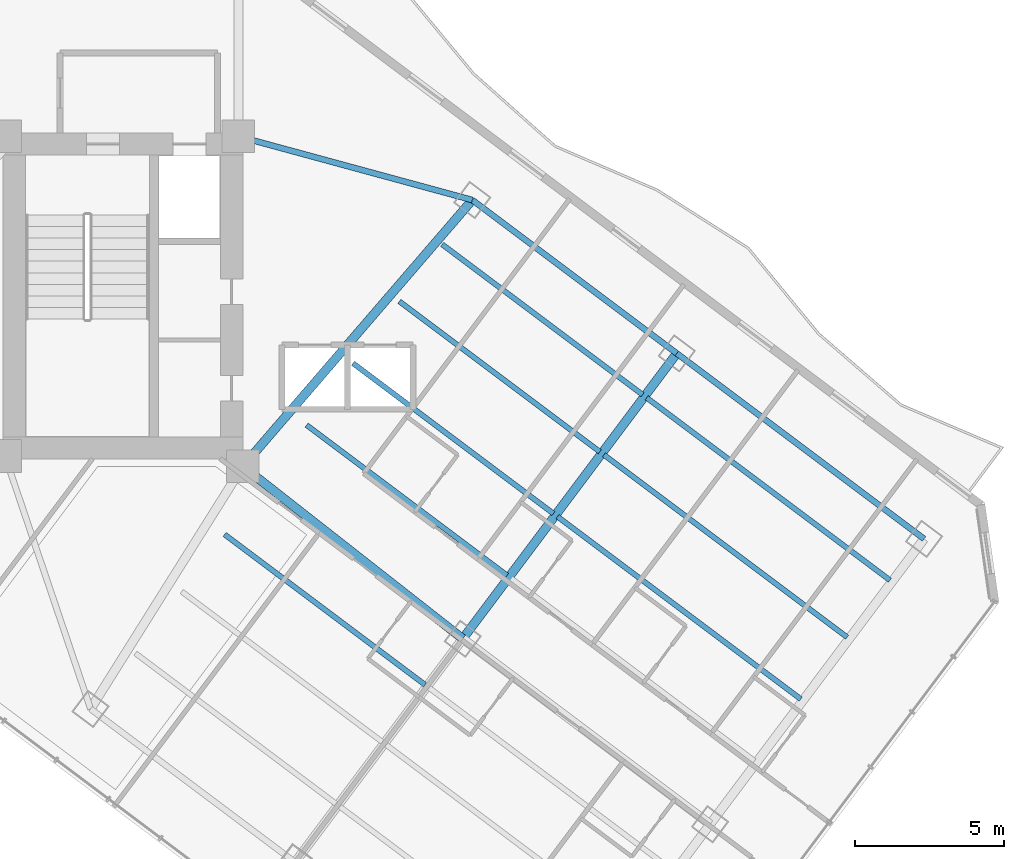
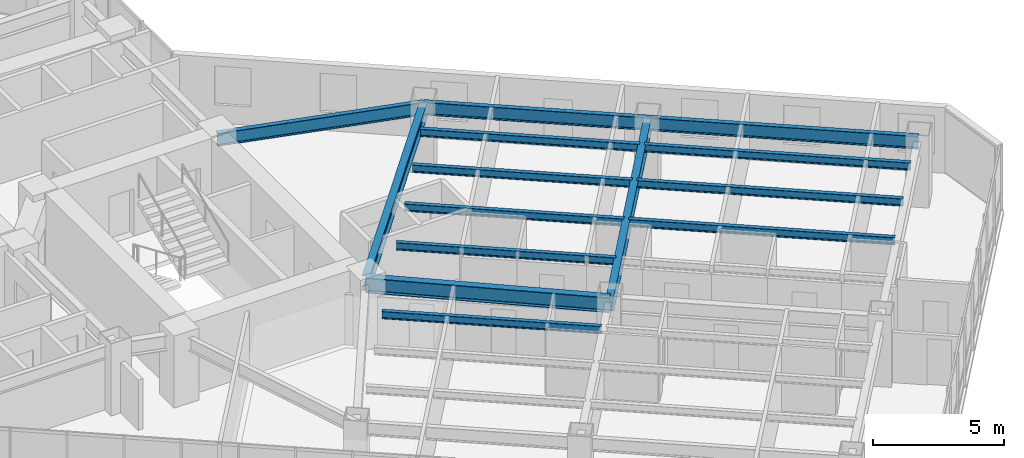
# One storey, part 17 of 36: 14 beams.
"""IFC4 building model written with IfcOpenShell, lengths in metres."""

from ifc_helpers import new_model, si_unit, direction, frame, origin, origin_2d, place, context, subcontext, project, spatial, i_section, extrude, material, material_profile, profile_set, type_object, element, save


model = new_model("IFC4")

# Units and contexts
model_context = context("Model", 3, precision=1e-05, world=origin(), true_north=direction((0.0, 1.0)))
body_context = subcontext(model_context, "Body", "Model", "MODEL_VIEW")
ifc_project = project(units=[si_unit("LENGTHUNIT", "METRE"), si_unit("AREAUNIT", "SQUARE_METRE"), si_unit("VOLUMEUNIT", "CUBIC_METRE"), si_unit("PLANEANGLEUNIT", "RADIAN"), si_unit("MASSUNIT", "GRAM", prefix="KILO")], contexts=[model_context])

# Site, building, storey
site_placement = place(None, origin())
site = spatial("IfcSite", under=ifc_project, at=site_placement, CompositionType="ELEMENT")
building_placement = place(site_placement, origin())
building = spatial("IfcBuilding", under=site, at=building_placement, Name="Hatsunagi Terrace Concourse", CompositionType="ELEMENT")
storey_placement = place(building_placement, frame((0.0, 0.0, 88.0)))
storey = spatial("IfcBuildingStorey", under=building, at=storey_placement, Name="L23", CompositionType="ELEMENT", Elevation=88.0)

# Beams
ifc_material_1 = material(Name="Steel SN490B", Category="steel")
ifc_material_profile_1 = material_profile(ifc_material_1, i_section(OverallWidth=0.300048828125, OverallDepth=0.699951171875, WebThickness=0.012939453125, FlangeThickness=0.02392578125, FilletRadius=0.02197265625, at=origin_2d()), Name="H-700x300x13x24")
ifc_profile_set_1 = profile_set([ifc_material_profile_1], Name="Steel SN490B")
beam_type_1 = type_object("IfcBeamType", Name="HotelFloorGirder_H_700x300", PredefinedType="BEAM", material=ifc_profile_set_1)
beam_1_placement = place(storey_placement, frame((43.800048828125, 24.199951171875, 2.699951171875), z_axis=(0.652739101421, 0.757582777969, 0.0), x_axis=(-0.757582777969, 0.652739101421, 0.0)))
element("IfcBeam", 1, at=beam_1_placement, inside=storey, type_object=beam_type_1, Name="Beam G-04 BM-L23-SET-1B", PredefinedType="BEAM", context=body_context, shape_type="SweptSolid", body=[
    extrude(i_section(OverallWidth=0.300048828125, OverallDepth=0.699951171875, WebThickness=0.012939453125, FlangeThickness=0.02392578125, FilletRadius=0.02197265625, at=origin_2d()), origin(), (0.0, 0.0, 1.0), 11.8271484375),
])
beam_2_placement = place(storey_placement, frame((43.800048828125, 24.199951171875, 2.699951171875), z_axis=(0.787049441068, -0.616889923175, 0.0), x_axis=(0.616889923175, 0.787049441068, 0.0)))
element("IfcBeam", 2, at=beam_2_placement, inside=storey, type_object=beam_type_1, Name="Beam G-04 BM-L23-SE-M2", PredefinedType="BEAM", context=body_context, shape_type="SweptSolid", body=[
    extrude(i_section(OverallWidth=0.300048828125, OverallDepth=0.699951171875, WebThickness=0.012939453125, FlangeThickness=0.02392578125, FilletRadius=0.02197265625, at=origin_2d()), origin(), (0.0, 0.0, 1.0), 9.402099609375),
])
beam_3_placement = place(storey_placement, frame((51.199951171875, 18.39990234375, 2.699951171875), z_axis=(0.59999348959, 0.800004882766, 0.0), x_axis=(-0.800004882766, 0.59999348959, 0.0)))
element("IfcBeam", 3, at=beam_3_placement, inside=storey, type_object=beam_type_1, Name="Beam G-04 BM-L23-SET-2B", PredefinedType="BEAM", context=body_context, shape_type="SweptSolid", body=[
    extrude(i_section(OverallWidth=0.300048828125, OverallDepth=0.699951171875, WebThickness=0.012939453125, FlangeThickness=0.02392578125, FilletRadius=0.02197265625, at=origin_2d()), origin(), (0.0, 0.0, 1.0), 12.0),
])
ifc_material_2 = material(Name="Steel SN490B", Category="steel")
ifc_material_profile_2 = material_profile(ifc_material_2, i_section(OverallWidth=0.175048828125, OverallDepth=0.35009765625, WebThickness=0.007080078125, FlangeThickness=0.010986328125, FilletRadius=0.012939453125, at=origin_2d()), Name="H-350x175x7x11")
ifc_profile_set_2 = profile_set([ifc_material_profile_2], Name="Steel SN490B")
beam_type_2 = type_object("IfcBeamType", Name="HotelJoist_H_350x175", PredefinedType="JOIST", material=ifc_profile_set_2)
for number, where, z_axis, x_axis, name in (
    (4, (43.18798828125, 21.908935546875, 2.875), (0.800003475366, -0.59999536615, 0.0), (0.59999536615, 0.800003475366, 0.0), "Beam J-02 J-L23-SE-2-96"),
    (5, (45.947998046875, 25.589111328125, 2.875), (0.799989573921, -0.600013901187, 0.0), (0.600013901187, 0.799989573921, 0.0), "Beam J-02 J-L23-SE-2-142"),
    (6, (47.508056640625, 27.6689453125, 2.875), (0.800003475366, -0.59999536615, 0.0), (0.59999536615, 0.800003475366, 0.0), "Beam J-02 J-L23-SE-2-168"),
    (7, (49.068115234375, 29.7490234375, 2.875), (0.799989573921, -0.600013901187, 0.0), (0.600013901187, 0.799989573921, 0.0), "Beam J-02 J-L23-SE-2-194"),
    (8, (50.508056640625, 31.6689453125, 2.875), (0.800003475366, -0.59999536615, 0.0), (0.59999536615, 0.800003475366, 0.0), "Beam J-02 J-L23-SE-2-218"),
):
    element("IfcBeam", number, at=place(storey_placement, frame(where, z_axis=z_axis, x_axis=x_axis)), inside=storey, type_object=beam_type_2, Name=name, PredefinedType="JOIST", context=body_context, shape_type="SweptSolid", body=[
        extrude(i_section(OverallWidth=0.175048828125, OverallDepth=0.35009765625, WebThickness=0.007080078125, FlangeThickness=0.010986328125, FilletRadius=0.012939453125, at=origin_2d()), origin(), (0.0, 0.0, 1.0), 8.429931640625),
    ])
beam_4_placement = place(storey_placement, frame((54.387939453125, 22.509033203125, 2.875), z_axis=(0.800005727586, -0.599992363142, 0.0), x_axis=(0.599992363142, 0.800005727586, 0.0)))
element("IfcBeam", 9, at=beam_4_placement, inside=storey, type_object=beam_type_2, Name="Beam J-02 J-L23-SE-3-168", PredefinedType="JOIST", context=body_context, shape_type="SweptSolid", body=[
    extrude(i_section(OverallWidth=0.175048828125, OverallDepth=0.35009765625, WebThickness=0.007080078125, FlangeThickness=0.010986328125, FilletRadius=0.012939453125, at=origin_2d()), origin(), (0.0, 0.0, 1.0), 10.22998046875),
])
beam_5_placement = place(storey_placement, frame((55.947998046875, 24.589111328125, 2.875), z_axis=(0.799994272423, -0.600007636694, 0.0), x_axis=(0.600007636694, 0.799994272423, 0.0)))
element("IfcBeam", 10, at=beam_5_placement, inside=storey, type_object=beam_type_2, Name="Beam J-02 J-L23-SE-3-194", PredefinedType="JOIST", context=body_context, shape_type="SweptSolid", body=[
    extrude(i_section(OverallWidth=0.175048828125, OverallDepth=0.35009765625, WebThickness=0.007080078125, FlangeThickness=0.010986328125, FilletRadius=0.012939453125, at=origin_2d()), origin(), (0.0, 0.0, 1.0), 10.230224609375),
])
beam_6_placement = place(storey_placement, frame((57.387939453125, 26.509033203125, 2.875), z_axis=(0.800005727586, -0.599992363142, 0.0), x_axis=(0.599992363142, 0.800005727586, 0.0)))
element("IfcBeam", 11, at=beam_6_placement, inside=storey, type_object=beam_type_2, Name="Beam J-02 J-L23-SE-3-218", PredefinedType="JOIST", context=body_context, shape_type="SweptSolid", body=[
    extrude(i_section(OverallWidth=0.175048828125, OverallDepth=0.35009765625, WebThickness=0.007080078125, FlangeThickness=0.010986328125, FilletRadius=0.012939453125, at=origin_2d()), origin(), (0.0, 0.0, 1.0), 10.22998046875),
])
ifc_material_3 = material(Name="Steel SN490B", Category="steel")
ifc_material_profile_3 = material_profile(ifc_material_3, i_section(OverallWidth=0.199951171875, OverallDepth=0.60009765625, WebThickness=0.010986328125, FlangeThickness=0.01708984375, FilletRadius=0.01806640625, at=origin_2d()), Name="H-600x200x11x17")
ifc_profile_set_3 = profile_set([ifc_material_profile_3], Name="Steel SN490B")
beam_type_3 = type_object("IfcBeamType", Name="PerimeterSpandrel_H_600x200", PredefinedType="SPANDREL", material=ifc_profile_set_3)
beam_7_placement = place(storey_placement, frame((43.64990234375, 35.300048828125, 2.75), z_axis=(0.964958359286, -0.262403057994, 0.0), x_axis=(0.262403057994, 0.964958359286, 0.0)))
element("IfcBeam", 12, at=beam_7_placement, inside=storey, type_object=beam_type_3, Name="Beam SP-01 BM-L23-SE-NE0", PredefinedType="SPANDREL", context=body_context, shape_type="SweptSolid", body=[
    extrude(i_section(OverallWidth=0.199951171875, OverallDepth=0.60009765625, WebThickness=0.010986328125, FlangeThickness=0.01708984375, FilletRadius=0.01806640625, at=origin_2d()), origin(), (0.0, 0.0, 1.0), 8.156005859375),
])
beam_8_placement = place(storey_placement, frame((51.52001953125, 33.159912109375, 2.75), z_axis=(0.8, -0.6, 0.0), x_axis=(0.6, 0.8, 0.0)))
element("IfcBeam", 13, at=beam_8_placement, inside=storey, type_object=beam_type_3, Name="Beam SP-01 BM-L23-SE-NE2", PredefinedType="SPANDREL", context=body_context, shape_type="SweptSolid", body=[
    extrude(i_section(OverallWidth=0.199951171875, OverallDepth=0.60009765625, WebThickness=0.010986328125, FlangeThickness=0.01708984375, FilletRadius=0.01806640625, at=origin_2d()), origin(), (0.0, 0.0, 1.0), 8.599853515625),
])
beam_9_placement = place(storey_placement, frame((58.39990234375, 28.0, 2.75), z_axis=(0.800002816985, -0.599996244001, 0.0), x_axis=(0.599996244001, 0.800002816985, 0.0)))
element("IfcBeam", 14, at=beam_9_placement, inside=storey, type_object=beam_type_3, Name="Beam SP-01 BM-L23-SE-NE3", PredefinedType="SPANDREL", context=body_context, shape_type="SweptSolid", body=[
    extrude(i_section(OverallWidth=0.199951171875, OverallDepth=0.60009765625, WebThickness=0.010986328125, FlangeThickness=0.01708984375, FilletRadius=0.01806640625, at=origin_2d()), origin(), (0.0, 0.0, 1.0), 10.400146484375),
])

save(model, "model.ifc")
